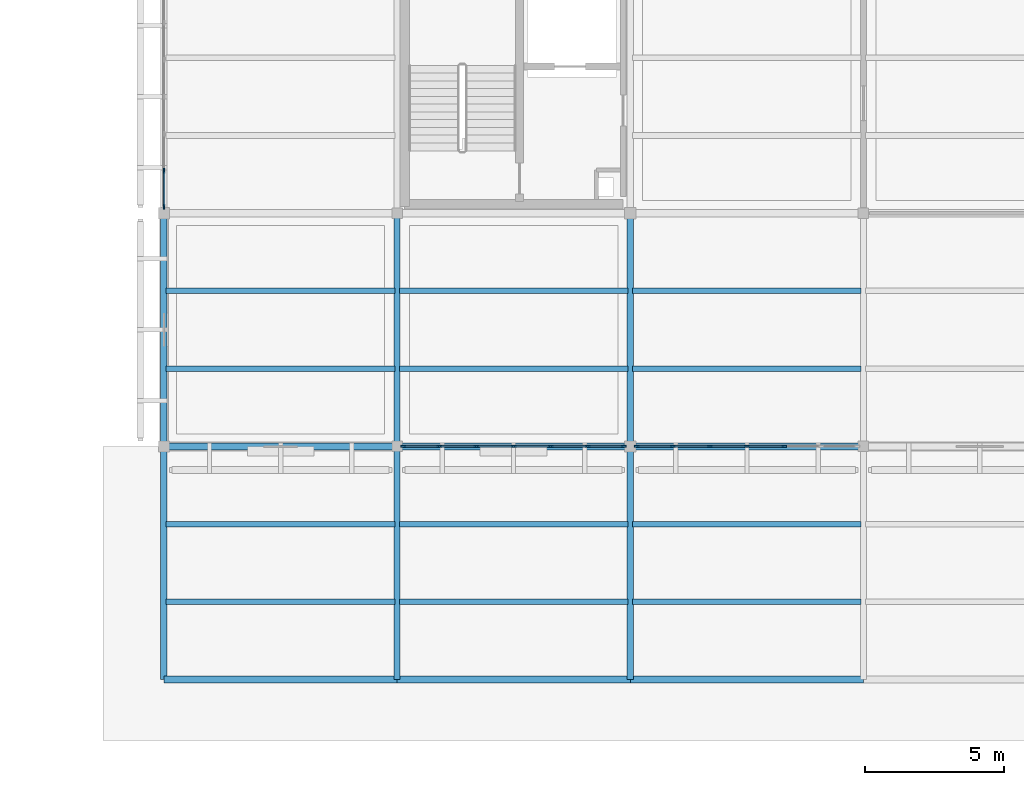
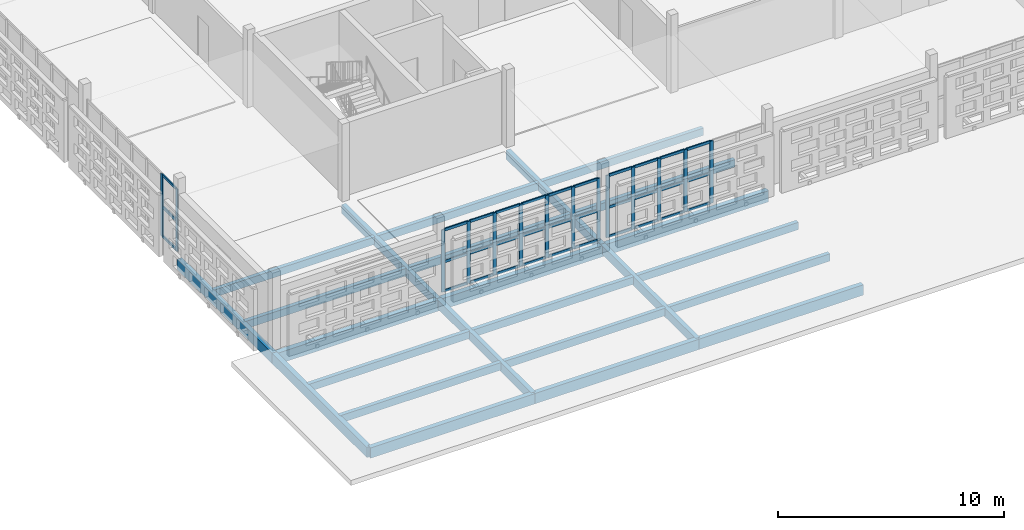
# One storey, part 14 of 140: 47 members, 24 beams, 3 elements without a shape of their own.
"""IFC4 building model written with IfcOpenShell, lengths in metres."""

from ifc_helpers import new_model, si_unit, direction, frame, origin, origin_2d, place, context, subcontext, project, spatial, rectangle, extrude, material, layer, layer_set, material_profile, profile_set, type_object, element, aggregate, save


model = new_model("IFC4")

# Units and contexts
model_context = context("Model", 3, precision=1e-05, world=origin(), true_north=direction((0.0, 1.0)))
body_context = subcontext(model_context, "Body", "Model", "MODEL_VIEW")
ifc_project = project(units=[si_unit("LENGTHUNIT", "METRE"), si_unit("AREAUNIT", "SQUARE_METRE"), si_unit("VOLUMEUNIT", "CUBIC_METRE"), si_unit("PLANEANGLEUNIT", "RADIAN"), si_unit("MASSUNIT", "GRAM", prefix="KILO")], contexts=[model_context])

# Site, building, storey
site_placement = place(None, origin())
site = spatial("IfcSite", under=ifc_project, at=site_placement, CompositionType="ELEMENT")
building_placement = place(site_placement, origin())
building = spatial("IfcBuilding", under=site, at=building_placement, Name="Varnapada Polytechnic", CompositionType="ELEMENT")
storey_placement = place(building_placement, frame((0.0, 0.0, 13.800048828125)))
storey = spatial("IfcBuildingStorey", under=building, at=storey_placement, Name="L03", CompositionType="ELEMENT", Elevation=13.800048828125)

# Beams
ifc_material_1 = material(Name="Glulam GL32h", Category="wood")
ifc_material_profile_1 = material_profile(ifc_material_1, rectangle(XDim=0.199951171875, YDim=0.39990234375, at=origin_2d()), Name="GL 200x400")
ifc_profile_set_1 = profile_set([ifc_material_profile_1], Name="Glulam GL32h")
beam_type_1 = type_object("IfcBeamType", Name="Library/laboratory glulam floor joist GJ-01 (GL 200x400)", PredefinedType="JOIST", material=ifc_profile_set_1)
for number, where, z_axis, x_axis, name in (
    (1, (8.47998046875, 2.800048828125, -0.469970703125), (1.0, 0.0, 0.0), (0.0, 1.0, 0.0), "L03 floor joist 2/1.1"),
    (2, (8.47998046875, 5.60009765625, -0.469970703125), (1.0, 0.0, 0.0), (0.0, 1.0, 0.0), "L03 floor joist 2/1.2"),
    (3, (8.47998046875, 11.199951171875, -0.469970703125), (1.0, 0.0, 0.0), (0.0, 1.0, 0.0), "L03 floor joist 2/2.1"),
    (4, (8.47998046875, 14.0, -0.469970703125), (1.0, 0.0, 0.0), (0.0, 1.0, 0.0), "L03 floor joist 2/2.2"),
):
    element("IfcBeam", number, at=place(storey_placement, frame(where, z_axis=z_axis, x_axis=x_axis)), inside=storey, type_object=beam_type_1, Name=name, PredefinedType="JOIST", context=body_context, shape_type="SweptSolid", body=[
        extrude(rectangle(XDim=0.199951171875, YDim=0.39990234375, at=origin_2d()), origin(), (0.0, 0.0, 1.0), 8.239990234375),
    ])
for number, where, z_axis, x_axis, name in (
    (5, (16.8798828125, 2.800048828125, -0.469970703125), (1.0, 0.0, 0.0), (0.0, 1.0, 0.0), "L03 floor joist 3/1.1"),
    (6, (16.8798828125, 5.60009765625, -0.469970703125), (1.0, 0.0, 0.0), (0.0, 1.0, 0.0), "L03 floor joist 3/1.2"),
    (7, (16.8798828125, 11.199951171875, -0.469970703125), (1.0, 0.0, 0.0), (0.0, 1.0, 0.0), "L03 floor joist 3/2.1"),
    (8, (16.8798828125, 14.0, -0.469970703125), (1.0, 0.0, 0.0), (0.0, 1.0, 0.0), "L03 floor joist 3/2.2"),
):
    element("IfcBeam", number, at=place(storey_placement, frame(where, z_axis=z_axis, x_axis=x_axis)), inside=storey, type_object=beam_type_1, Name=name, PredefinedType="JOIST", context=body_context, shape_type="SweptSolid", body=[
        extrude(rectangle(XDim=0.199951171875, YDim=0.39990234375, at=origin_2d()), origin(), (0.0, 0.0, 1.0), 8.240234375),
    ])
for number, where, z_axis, x_axis, name in (
    (9, (25.280029296875, 2.800048828125, -0.469970703125), (1.0, 0.0, 0.0), (0.0, 1.0, 0.0), "L03 floor joist 4/1.1"),
    (10, (25.280029296875, 5.60009765625, -0.469970703125), (1.0, 0.0, 0.0), (0.0, 1.0, 0.0), "L03 floor joist 4/1.2"),
    (11, (25.280029296875, 11.199951171875, -0.469970703125), (1.0, 0.0, 0.0), (0.0, 1.0, 0.0), "L03 floor joist 4/2.1"),
    (12, (25.280029296875, 14.0, -0.469970703125), (1.0, 0.0, 0.0), (0.0, 1.0, 0.0), "L03 floor joist 4/2.2"),
):
    element("IfcBeam", number, at=place(storey_placement, frame(where, z_axis=z_axis, x_axis=x_axis)), inside=storey, type_object=beam_type_1, Name=name, PredefinedType="JOIST", context=body_context, shape_type="SweptSolid", body=[
        extrude(rectangle(XDim=0.199951171875, YDim=0.39990234375, at=origin_2d()), origin(), (0.0, 0.0, 1.0), 8.239990234375),
    ])

# Curtain wall, members
ifc_material_2 = material(Name="Double low-E laminated glass", Category="glass")
ifc_layer = layer(ifc_material_2, 0.179931640625)
ifc_layer_set = layer_set([ifc_layer], Name="Double low-E laminated glass")
curtain_wall_type = type_object("IfcCurtainWallType", Name="Curtain Wall CW-03", PredefinedType="NOTDEFINED", material=ifc_layer_set)
curtain_wall_1_placement = place(storey_placement, origin())
curtain_wall_1 = element("IfcCurtainWall", 13, at=curtain_wall_1_placement, inside=storey, type_object=curtain_wall_type, Name="L03 unitised curtain wall CW-03 (211)", PredefinedType="NOTDEFINED")
ifc_material_3 = material(Name="Anodised aluminium", Category="aluminium")
ifc_material_profile_2 = material_profile(ifc_material_3, rectangle(XDim=0.06494140625, YDim=0.179931640625, at=origin_2d()), Name="ALU M65x180")
ifc_profile_set_2 = profile_set([ifc_material_profile_2], Name="Anodised aluminium")
member_type_1 = type_object("IfcMemberType", Name="Mullion M-02", PredefinedType="MULLION", material=ifc_profile_set_2)
member_1_placement = place(storey_placement, frame((8.39990234375, 17.032470703125, 0.0), z_axis=(0.0, 0.0, 1.0), x_axis=(-1.0, 0.0, 0.0)))
member_1 = element("IfcMember", 14, at=member_1_placement, type_object=member_type_1, Name="CW-03 mullion 1", PredefinedType="MULLION", context=body_context, shape_type="SweptSolid", body=[
    extrude(rectangle(XDim=0.06494140625, YDim=0.179931640625, at=origin_2d()), origin(), (0.0, 0.0, 1.0), 3.35986328125),
])
member_2_placement = place(storey_placement, frame((8.39990234375, 18.333251953125, 0.0), z_axis=(0.0, 0.0, 1.0), x_axis=(-1.0, 0.0, 0.0)))
member_2 = element("IfcMember", 15, at=member_2_placement, type_object=member_type_1, Name="CW-03 mullion 2", PredefinedType="MULLION", context=body_context, shape_type="SweptSolid", body=[
    extrude(rectangle(XDim=0.06494140625, YDim=0.179931640625, at=origin_2d()), origin(), (0.0, 0.0, 1.0), 3.35986328125),
])

curtain_wall_2_placement = place(storey_placement, origin())
curtain_wall_2 = element("IfcCurtainWall", 16, at=curtain_wall_2_placement, inside=storey, type_object=curtain_wall_type, Name="L03 unitised curtain wall CW-03 (214)", PredefinedType="NOTDEFINED")
member_3_placement = place(storey_placement, frame((24.967529296875, 8.39990234375, 0.0), z_axis=(0.0, 0.0, 1.0), x_axis=(0.0, -1.0, 0.0)))
member_3 = element("IfcMember", 17, at=member_3_placement, type_object=member_type_1, Name="CW-03 mullion 1", PredefinedType="MULLION", context=body_context, shape_type="SweptSolid", body=[
    extrude(rectangle(XDim=0.06494140625, YDim=0.179931640625, at=origin_2d()), origin(), (0.0, 0.0, 1.0), 3.35986328125),
])
member_4_placement = place(storey_placement, frame((23.6650390625, 8.39990234375, 0.0), z_axis=(0.0, 0.0, 1.0), x_axis=(0.0, -1.0, 0.0)))
member_4 = element("IfcMember", 18, at=member_4_placement, type_object=member_type_1, Name="CW-03 mullion 2", PredefinedType="MULLION", context=body_context, shape_type="SweptSolid", body=[
    extrude(rectangle(XDim=0.06494140625, YDim=0.179931640625, at=origin_2d()), origin(), (0.0, 0.0, 1.0), 3.35986328125),
])
member_5_placement = place(storey_placement, frame((22.330078125, 8.39990234375, 0.0), z_axis=(0.0, 0.0, 1.0), x_axis=(0.0, -1.0, 0.0)))
member_5 = element("IfcMember", 19, at=member_5_placement, type_object=member_type_1, Name="CW-03 mullion 3", PredefinedType="MULLION", context=body_context, shape_type="SweptSolid", body=[
    extrude(rectangle(XDim=0.06494140625, YDim=0.179931640625, at=origin_2d()), origin(), (0.0, 0.0, 1.0), 3.35986328125),
])
member_6_placement = place(storey_placement, frame((20.9951171875, 8.39990234375, 0.0), z_axis=(0.0, 0.0, 1.0), x_axis=(0.0, -1.0, 0.0)))
member_6 = element("IfcMember", 20, at=member_6_placement, type_object=member_type_1, Name="CW-03 mullion 4", PredefinedType="MULLION", context=body_context, shape_type="SweptSolid", body=[
    extrude(rectangle(XDim=0.06494140625, YDim=0.179931640625, at=origin_2d()), origin(), (0.0, 0.0, 1.0), 3.35986328125),
])
member_7_placement = place(storey_placement, frame((19.659912109375, 8.39990234375, 0.0), z_axis=(0.0, 0.0, 1.0), x_axis=(0.0, -1.0, 0.0)))
member_7 = element("IfcMember", 21, at=member_7_placement, type_object=member_type_1, Name="CW-03 mullion 5", PredefinedType="MULLION", context=body_context, shape_type="SweptSolid", body=[
    extrude(rectangle(XDim=0.06494140625, YDim=0.179931640625, at=origin_2d()), origin(), (0.0, 0.0, 1.0), 3.35986328125),
])
member_8_placement = place(storey_placement, frame((18.324951171875, 8.39990234375, 0.0), z_axis=(0.0, 0.0, 1.0), x_axis=(0.0, -1.0, 0.0)))
member_8 = element("IfcMember", 22, at=member_8_placement, type_object=member_type_1, Name="CW-03 mullion 6", PredefinedType="MULLION", context=body_context, shape_type="SweptSolid", body=[
    extrude(rectangle(XDim=0.06494140625, YDim=0.179931640625, at=origin_2d()), origin(), (0.0, 0.0, 1.0), 3.35986328125),
])
member_9_placement = place(storey_placement, frame((17.0224609375, 8.39990234375, 0.0), z_axis=(0.0, 0.0, 1.0), x_axis=(0.0, -1.0, 0.0)))
member_9 = element("IfcMember", 23, at=member_9_placement, type_object=member_type_1, Name="CW-03 mullion 7", PredefinedType="MULLION", context=body_context, shape_type="SweptSolid", body=[
    extrude(rectangle(XDim=0.06494140625, YDim=0.179931640625, at=origin_2d()), origin(), (0.0, 0.0, 1.0), 3.35986328125),
])

curtain_wall_3_placement = place(storey_placement, origin())
curtain_wall_3 = element("IfcCurtainWall", 24, at=curtain_wall_3_placement, inside=storey, type_object=curtain_wall_type, Name="L03 unitised curtain wall CW-03 (216)", PredefinedType="NOTDEFINED")
member_10_placement = place(storey_placement, frame((30.739990234375, 8.39990234375, 0.0), z_axis=(0.0, 0.0, 1.0), x_axis=(0.0, -1.0, 0.0)))
member_10 = element("IfcMember", 25, at=member_10_placement, type_object=member_type_1, Name="CW-03 mullion 3", PredefinedType="MULLION", context=body_context, shape_type="SweptSolid", body=[
    extrude(rectangle(XDim=0.06494140625, YDim=0.179931640625, at=origin_2d()), origin(), (0.0, 0.0, 1.0), 3.35986328125),
])
member_11_placement = place(storey_placement, frame((29.405029296875, 8.39990234375, 0.0), z_axis=(0.0, 0.0, 1.0), x_axis=(0.0, -1.0, 0.0)))
member_11 = element("IfcMember", 26, at=member_11_placement, type_object=member_type_1, Name="CW-03 mullion 4", PredefinedType="MULLION", context=body_context, shape_type="SweptSolid", body=[
    extrude(rectangle(XDim=0.06494140625, YDim=0.179931640625, at=origin_2d()), origin(), (0.0, 0.0, 1.0), 3.35986328125),
])
member_12_placement = place(storey_placement, frame((28.070068359375, 8.39990234375, 0.0), z_axis=(0.0, 0.0, 1.0), x_axis=(0.0, -1.0, 0.0)))
member_12 = element("IfcMember", 27, at=member_12_placement, type_object=member_type_1, Name="CW-03 mullion 5", PredefinedType="MULLION", context=body_context, shape_type="SweptSolid", body=[
    extrude(rectangle(XDim=0.06494140625, YDim=0.179931640625, at=origin_2d()), origin(), (0.0, 0.0, 1.0), 3.35986328125),
])
member_13_placement = place(storey_placement, frame((26.735107421875, 8.39990234375, 0.0), z_axis=(0.0, 0.0, 1.0), x_axis=(0.0, -1.0, 0.0)))
member_13 = element("IfcMember", 28, at=member_13_placement, type_object=member_type_1, Name="CW-03 mullion 6", PredefinedType="MULLION", context=body_context, shape_type="SweptSolid", body=[
    extrude(rectangle(XDim=0.06494140625, YDim=0.179931640625, at=origin_2d()), origin(), (0.0, 0.0, 1.0), 3.35986328125),
])
member_14_placement = place(storey_placement, frame((25.4326171875, 8.39990234375, 0.0), z_axis=(0.0, 0.0, 1.0), x_axis=(0.0, -1.0, 0.0)))
member_14 = element("IfcMember", 29, at=member_14_placement, type_object=member_type_1, Name="CW-03 mullion 7", PredefinedType="MULLION", context=body_context, shape_type="SweptSolid", body=[
    extrude(rectangle(XDim=0.06494140625, YDim=0.179931640625, at=origin_2d()), origin(), (0.0, 0.0, 1.0), 3.35986328125),
])

# Beams
ifc_material_profile_3 = material_profile(ifc_material_1, rectangle(XDim=0.239990234375, YDim=0.56005859375, at=origin_2d()), Name="GL 240x560")
ifc_profile_set_3 = profile_set([ifc_material_profile_3], Name="Glulam GL32h")
beam_type_2 = type_object("IfcBeamType", Name="Perimeter glulam spandrel beam SP-02 (GL 240x560)", PredefinedType="SPANDREL", material=ifc_profile_set_3)
beam_1_placement = place(storey_placement, frame((8.39990234375, 0.0, -0.550048828125), z_axis=(1.0, 0.0, 0.0), x_axis=(0.0, 1.0, 0.0)))
element("IfcBeam", 30, at=beam_1_placement, inside=storey, type_object=beam_type_2, Name="L03 beam X 2-3 at Y1", PredefinedType="SPANDREL", context=body_context, shape_type="SweptSolid", body=[
    extrude(rectangle(XDim=0.239990234375, YDim=0.56005859375, at=origin_2d()), origin(), (0.0, 0.0, 1.0), 8.400146484375),
])
beam_2_placement = place(storey_placement, frame((16.800048828125, 0.0, -0.550048828125), z_axis=(1.0, 0.0, 0.0), x_axis=(0.0, 1.0, 0.0)))
element("IfcBeam", 31, at=beam_2_placement, inside=storey, type_object=beam_type_2, Name="L03 beam X 3-4 at Y1", PredefinedType="SPANDREL", context=body_context, shape_type="SweptSolid", body=[
    extrude(rectangle(XDim=0.239990234375, YDim=0.56005859375, at=origin_2d()), origin(), (0.0, 0.0, 1.0), 8.39990234375),
])
beam_3_placement = place(storey_placement, frame((25.199951171875, 0.0, -0.550048828125), z_axis=(1.0, 0.0, 0.0), x_axis=(0.0, 1.0, 0.0)))
element("IfcBeam", 32, at=beam_3_placement, inside=storey, type_object=beam_type_2, Name="L03 beam X 4-5 at Y1", PredefinedType="SPANDREL", context=body_context, shape_type="SweptSolid", body=[
    extrude(rectangle(XDim=0.239990234375, YDim=0.56005859375, at=origin_2d()), origin(), (0.0, 0.0, 1.0), 8.400146484375),
])
beam_4_placement = place(storey_placement, frame((8.39990234375, 0.0, -0.550048828125), z_axis=(0.0, 1.0, 0.0), x_axis=(-1.0, 0.0, 0.0)))
element("IfcBeam", 33, at=beam_4_placement, inside=storey, type_object=beam_type_2, Name="L03 beam Y 1-2 at X2", PredefinedType="SPANDREL", context=body_context, shape_type="SweptSolid", body=[
    extrude(rectangle(XDim=0.239990234375, YDim=0.56005859375, at=origin_2d()), origin(), (0.0, 0.0, 1.0), 8.39990234375),
])
beam_5_placement = place(storey_placement, frame((8.39990234375, 8.39990234375, -0.550048828125), z_axis=(0.0, 1.0, 0.0), x_axis=(-1.0, 0.0, 0.0)))
element("IfcBeam", 34, at=beam_5_placement, inside=storey, type_object=beam_type_2, Name="L03 beam Y 2-3 at X2", PredefinedType="SPANDREL", context=body_context, shape_type="SweptSolid", body=[
    extrude(rectangle(XDim=0.239990234375, YDim=0.56005859375, at=origin_2d()), origin(), (0.0, 0.0, 1.0), 8.400146484375),
])
ifc_material_profile_4 = material_profile(ifc_material_1, rectangle(XDim=0.260009765625, YDim=0.60009765625, at=origin_2d()), Name="GL 260x600")
ifc_profile_set_4 = profile_set([ifc_material_profile_4], Name="Glulam GL32h")
beam_type_3 = type_object("IfcBeamType", Name="Seminar wing glulam girder GG-05 (GL 260x600)", PredefinedType="BEAM", material=ifc_profile_set_4)
beam_6_placement = place(storey_placement, frame((8.39990234375, 8.39990234375, -0.570068359375), z_axis=(1.0, 0.0, 0.0), x_axis=(0.0, 1.0, 0.0)))
element("IfcBeam", 35, at=beam_6_placement, inside=storey, type_object=beam_type_3, Name="L03 beam X 2-3 at Y2", PredefinedType="BEAM", context=body_context, shape_type="SweptSolid", body=[
    extrude(rectangle(XDim=0.260009765625, YDim=0.60009765625, at=origin_2d()), origin(), (0.0, 0.0, 1.0), 8.400146484375),
])
beam_7_placement = place(storey_placement, frame((16.800048828125, 8.39990234375, -0.570068359375), z_axis=(1.0, 0.0, 0.0), x_axis=(0.0, 1.0, 0.0)))
element("IfcBeam", 36, at=beam_7_placement, inside=storey, type_object=beam_type_3, Name="L03 beam X 3-4 at Y2", PredefinedType="BEAM", context=body_context, shape_type="SweptSolid", body=[
    extrude(rectangle(XDim=0.260009765625, YDim=0.60009765625, at=origin_2d()), origin(), (0.0, 0.0, 1.0), 8.39990234375),
])
beam_8_placement = place(storey_placement, frame((25.199951171875, 8.39990234375, -0.570068359375), z_axis=(1.0, 0.0, 0.0), x_axis=(0.0, 1.0, 0.0)))
element("IfcBeam", 37, at=beam_8_placement, inside=storey, type_object=beam_type_3, Name="L03 beam X 4-5 at Y2", PredefinedType="BEAM", context=body_context, shape_type="SweptSolid", body=[
    extrude(rectangle(XDim=0.260009765625, YDim=0.60009765625, at=origin_2d()), origin(), (0.0, 0.0, 1.0), 8.400146484375),
])

# Member
ifc_material_profile_5 = material_profile(ifc_material_3, rectangle(XDim=0.06494140625, YDim=0.139892578125, at=origin_2d()), Name="ALU T65x140")
ifc_profile_set_5 = profile_set([ifc_material_profile_5], Name="Anodised aluminium")
member_type_2 = type_object("IfcMemberType", Name="Transom T-02", PredefinedType="USERDEFINED", material=ifc_profile_set_5)
member_15_placement = place(storey_placement, frame((8.39990234375, 17.06494140625, 0.032470703125), z_axis=(0.0, 1.0, 0.0), x_axis=(-1.0, 0.0, 0.0)))
member_15 = element("IfcMember", 38, at=member_15_placement, type_object=member_type_2, Name="CW-03 transom 1.1", ObjectType="TRANSOM", PredefinedType="USERDEFINED", context=body_context, shape_type="SweptSolid", body=[
    extrude(rectangle(XDim=0.06494140625, YDim=0.139892578125, at=origin_2d()), origin(), (0.0, 0.0, 1.0), 1.23583984375),
])

member_16_placement = place(storey_placement, frame((8.39990234375, 17.06494140625, 1.61279296875), z_axis=(0.0, 1.0, 0.0), x_axis=(-1.0, 0.0, 0.0)))
member_16 = element("IfcMember", 39, at=member_16_placement, type_object=member_type_2, Name="CW-03 transom 1.2", ObjectType="TRANSOM", PredefinedType="USERDEFINED", context=body_context, shape_type="SweptSolid", body=[
    extrude(rectangle(XDim=0.06494140625, YDim=0.139892578125, at=origin_2d()), origin(), (0.0, 0.0, 1.0), 1.23583984375),
])

member_17_placement = place(storey_placement, frame((8.39990234375, 17.06494140625, 3.327392578125), z_axis=(0.0, 1.0, 0.0), x_axis=(-1.0, 0.0, 0.0)))
member_17 = element("IfcMember", 40, at=member_17_placement, type_object=member_type_2, Name="CW-03 transom 1.3", ObjectType="TRANSOM", PredefinedType="USERDEFINED", context=body_context, shape_type="SweptSolid", body=[
    extrude(rectangle(XDim=0.06494140625, YDim=0.139892578125, at=origin_2d()), origin(), (0.0, 0.0, 1.0), 1.23583984375),
])

aggregate(curtain_wall_1, [member_1, member_2, member_15, member_16, member_17])

member_18_placement = place(storey_placement, frame((24.93505859375, 8.39990234375, 0.032470703125), z_axis=(-1.0, 0.0, 0.0), x_axis=(0.0, -1.0, 0.0)))
member_18 = element("IfcMember", 41, at=member_18_placement, type_object=member_type_2, Name="CW-03 transom 1.1", ObjectType="TRANSOM", PredefinedType="USERDEFINED", context=body_context, shape_type="SweptSolid", body=[
    extrude(rectangle(XDim=0.06494140625, YDim=0.139892578125, at=origin_2d()), origin(), (0.0, 0.0, 1.0), 1.237548828125),
])

member_19_placement = place(storey_placement, frame((24.93505859375, 8.39990234375, 1.61279296875), z_axis=(-1.0, 0.0, 0.0), x_axis=(0.0, -1.0, 0.0)))
member_19 = element("IfcMember", 42, at=member_19_placement, type_object=member_type_2, Name="CW-03 transom 1.2", ObjectType="TRANSOM", PredefinedType="USERDEFINED", context=body_context, shape_type="SweptSolid", body=[
    extrude(rectangle(XDim=0.06494140625, YDim=0.139892578125, at=origin_2d()), origin(), (0.0, 0.0, 1.0), 1.237548828125),
])

member_20_placement = place(storey_placement, frame((24.93505859375, 8.39990234375, 3.327392578125), z_axis=(-1.0, 0.0, 0.0), x_axis=(0.0, -1.0, 0.0)))
member_20 = element("IfcMember", 43, at=member_20_placement, type_object=member_type_2, Name="CW-03 transom 1.3", ObjectType="TRANSOM", PredefinedType="USERDEFINED", context=body_context, shape_type="SweptSolid", body=[
    extrude(rectangle(XDim=0.06494140625, YDim=0.139892578125, at=origin_2d()), origin(), (0.0, 0.0, 1.0), 1.237548828125),
])

member_21_placement = place(storey_placement, frame((23.632568359375, 8.39990234375, 0.032470703125), z_axis=(-1.0, 0.0, 0.0), x_axis=(0.0, -1.0, 0.0)))
member_21 = element("IfcMember", 44, at=member_21_placement, type_object=member_type_2, Name="CW-03 transom 2.1", ObjectType="TRANSOM", PredefinedType="USERDEFINED", context=body_context, shape_type="SweptSolid", body=[
    extrude(rectangle(XDim=0.06494140625, YDim=0.139892578125, at=origin_2d()), origin(), (0.0, 0.0, 1.0), 1.27001953125),
])

member_22_placement = place(storey_placement, frame((23.632568359375, 8.39990234375, 1.61279296875), z_axis=(-1.0, 0.0, 0.0), x_axis=(0.0, -1.0, 0.0)))
member_22 = element("IfcMember", 45, at=member_22_placement, type_object=member_type_2, Name="CW-03 transom 2.2", ObjectType="TRANSOM", PredefinedType="USERDEFINED", context=body_context, shape_type="SweptSolid", body=[
    extrude(rectangle(XDim=0.06494140625, YDim=0.139892578125, at=origin_2d()), origin(), (0.0, 0.0, 1.0), 1.27001953125),
])

member_23_placement = place(storey_placement, frame((23.632568359375, 8.39990234375, 3.327392578125), z_axis=(-1.0, 0.0, 0.0), x_axis=(0.0, -1.0, 0.0)))
member_23 = element("IfcMember", 46, at=member_23_placement, type_object=member_type_2, Name="CW-03 transom 2.3", ObjectType="TRANSOM", PredefinedType="USERDEFINED", context=body_context, shape_type="SweptSolid", body=[
    extrude(rectangle(XDim=0.06494140625, YDim=0.139892578125, at=origin_2d()), origin(), (0.0, 0.0, 1.0), 1.27001953125),
])

member_24_placement = place(storey_placement, frame((22.297607421875, 8.39990234375, 0.032470703125), z_axis=(-1.0, 0.0, 0.0), x_axis=(0.0, -1.0, 0.0)))
member_24 = element("IfcMember", 47, at=member_24_placement, type_object=member_type_2, Name="CW-03 transom 3.1", ObjectType="TRANSOM", PredefinedType="USERDEFINED", context=body_context, shape_type="SweptSolid", body=[
    extrude(rectangle(XDim=0.06494140625, YDim=0.139892578125, at=origin_2d()), origin(), (0.0, 0.0, 1.0), 1.27001953125),
])

member_25_placement = place(storey_placement, frame((22.297607421875, 8.39990234375, 1.61279296875), z_axis=(-1.0, 0.0, 0.0), x_axis=(0.0, -1.0, 0.0)))
member_25 = element("IfcMember", 48, at=member_25_placement, type_object=member_type_2, Name="CW-03 transom 3.2", ObjectType="TRANSOM", PredefinedType="USERDEFINED", context=body_context, shape_type="SweptSolid", body=[
    extrude(rectangle(XDim=0.06494140625, YDim=0.139892578125, at=origin_2d()), origin(), (0.0, 0.0, 1.0), 1.27001953125),
])

member_26_placement = place(storey_placement, frame((22.297607421875, 8.39990234375, 3.327392578125), z_axis=(-1.0, 0.0, 0.0), x_axis=(0.0, -1.0, 0.0)))
member_26 = element("IfcMember", 49, at=member_26_placement, type_object=member_type_2, Name="CW-03 transom 3.3", ObjectType="TRANSOM", PredefinedType="USERDEFINED", context=body_context, shape_type="SweptSolid", body=[
    extrude(rectangle(XDim=0.06494140625, YDim=0.139892578125, at=origin_2d()), origin(), (0.0, 0.0, 1.0), 1.27001953125),
])

member_27_placement = place(storey_placement, frame((20.96240234375, 8.39990234375, 0.032470703125), z_axis=(-1.0, 0.0, 0.0), x_axis=(0.0, -1.0, 0.0)))
member_27 = element("IfcMember", 50, at=member_27_placement, type_object=member_type_2, Name="CW-03 transom 4.1", ObjectType="TRANSOM", PredefinedType="USERDEFINED", context=body_context, shape_type="SweptSolid", body=[
    extrude(rectangle(XDim=0.06494140625, YDim=0.139892578125, at=origin_2d()), origin(), (0.0, 0.0, 1.0), 1.27001953125),
])

member_28_placement = place(storey_placement, frame((20.96240234375, 8.39990234375, 1.61279296875), z_axis=(-1.0, 0.0, 0.0), x_axis=(0.0, -1.0, 0.0)))
member_28 = element("IfcMember", 51, at=member_28_placement, type_object=member_type_2, Name="CW-03 transom 4.2", ObjectType="TRANSOM", PredefinedType="USERDEFINED", context=body_context, shape_type="SweptSolid", body=[
    extrude(rectangle(XDim=0.06494140625, YDim=0.139892578125, at=origin_2d()), origin(), (0.0, 0.0, 1.0), 1.27001953125),
])

member_29_placement = place(storey_placement, frame((20.96240234375, 8.39990234375, 3.327392578125), z_axis=(-1.0, 0.0, 0.0), x_axis=(0.0, -1.0, 0.0)))
member_29 = element("IfcMember", 52, at=member_29_placement, type_object=member_type_2, Name="CW-03 transom 4.3", ObjectType="TRANSOM", PredefinedType="USERDEFINED", context=body_context, shape_type="SweptSolid", body=[
    extrude(rectangle(XDim=0.06494140625, YDim=0.139892578125, at=origin_2d()), origin(), (0.0, 0.0, 1.0), 1.27001953125),
])

member_30_placement = place(storey_placement, frame((19.62744140625, 8.39990234375, 0.032470703125), z_axis=(-1.0, 0.0, 0.0), x_axis=(0.0, -1.0, 0.0)))
member_30 = element("IfcMember", 53, at=member_30_placement, type_object=member_type_2, Name="CW-03 transom 5.1", ObjectType="TRANSOM", PredefinedType="USERDEFINED", context=body_context, shape_type="SweptSolid", body=[
    extrude(rectangle(XDim=0.06494140625, YDim=0.139892578125, at=origin_2d()), origin(), (0.0, 0.0, 1.0), 1.27001953125),
])

member_31_placement = place(storey_placement, frame((19.62744140625, 8.39990234375, 1.61279296875), z_axis=(-1.0, 0.0, 0.0), x_axis=(0.0, -1.0, 0.0)))
member_31 = element("IfcMember", 54, at=member_31_placement, type_object=member_type_2, Name="CW-03 transom 5.2", ObjectType="TRANSOM", PredefinedType="USERDEFINED", context=body_context, shape_type="SweptSolid", body=[
    extrude(rectangle(XDim=0.06494140625, YDim=0.139892578125, at=origin_2d()), origin(), (0.0, 0.0, 1.0), 1.27001953125),
])

member_32_placement = place(storey_placement, frame((19.62744140625, 8.39990234375, 3.327392578125), z_axis=(-1.0, 0.0, 0.0), x_axis=(0.0, -1.0, 0.0)))
member_32 = element("IfcMember", 55, at=member_32_placement, type_object=member_type_2, Name="CW-03 transom 5.3", ObjectType="TRANSOM", PredefinedType="USERDEFINED", context=body_context, shape_type="SweptSolid", body=[
    extrude(rectangle(XDim=0.06494140625, YDim=0.139892578125, at=origin_2d()), origin(), (0.0, 0.0, 1.0), 1.27001953125),
])

member_33_placement = place(storey_placement, frame((18.29248046875, 8.39990234375, 0.032470703125), z_axis=(-1.0, 0.0, 0.0), x_axis=(0.0, -1.0, 0.0)))
member_33 = element("IfcMember", 56, at=member_33_placement, type_object=member_type_2, Name="CW-03 transom 6.1", ObjectType="TRANSOM", PredefinedType="USERDEFINED", context=body_context, shape_type="SweptSolid", body=[
    extrude(rectangle(XDim=0.06494140625, YDim=0.139892578125, at=origin_2d()), origin(), (0.0, 0.0, 1.0), 1.237548828125),
])

member_34_placement = place(storey_placement, frame((18.29248046875, 8.39990234375, 1.61279296875), z_axis=(-1.0, 0.0, 0.0), x_axis=(0.0, -1.0, 0.0)))
member_34 = element("IfcMember", 57, at=member_34_placement, type_object=member_type_2, Name="CW-03 transom 6.2", ObjectType="TRANSOM", PredefinedType="USERDEFINED", context=body_context, shape_type="SweptSolid", body=[
    extrude(rectangle(XDim=0.06494140625, YDim=0.139892578125, at=origin_2d()), origin(), (0.0, 0.0, 1.0), 1.237548828125),
])

member_35_placement = place(storey_placement, frame((18.29248046875, 8.39990234375, 3.327392578125), z_axis=(-1.0, 0.0, 0.0), x_axis=(0.0, -1.0, 0.0)))
member_35 = element("IfcMember", 58, at=member_35_placement, type_object=member_type_2, Name="CW-03 transom 6.3", ObjectType="TRANSOM", PredefinedType="USERDEFINED", context=body_context, shape_type="SweptSolid", body=[
    extrude(rectangle(XDim=0.06494140625, YDim=0.139892578125, at=origin_2d()), origin(), (0.0, 0.0, 1.0), 1.237548828125),
])

aggregate(curtain_wall_2, [member_3, member_4, member_5, member_6, member_7, member_8, member_9, member_18, member_19, member_20, member_21, member_22, member_23, member_24, member_25, member_26, member_27, member_28, member_29, member_30, member_31, member_32, member_33, member_34, member_35])

member_36_placement = place(storey_placement, frame((30.70751953125, 8.39990234375, 0.032470703125), z_axis=(-1.0, 0.0, 0.0), x_axis=(0.0, -1.0, 0.0)))
member_36 = element("IfcMember", 59, at=member_36_placement, type_object=member_type_2, Name="CW-03 transom 3.1", ObjectType="TRANSOM", PredefinedType="USERDEFINED", context=body_context, shape_type="SweptSolid", body=[
    extrude(rectangle(XDim=0.06494140625, YDim=0.139892578125, at=origin_2d()), origin(), (0.0, 0.0, 1.0), 1.27001953125),
])

member_37_placement = place(storey_placement, frame((30.70751953125, 8.39990234375, 1.61279296875), z_axis=(-1.0, 0.0, 0.0), x_axis=(0.0, -1.0, 0.0)))
member_37 = element("IfcMember", 60, at=member_37_placement, type_object=member_type_2, Name="CW-03 transom 3.2", ObjectType="TRANSOM", PredefinedType="USERDEFINED", context=body_context, shape_type="SweptSolid", body=[
    extrude(rectangle(XDim=0.06494140625, YDim=0.139892578125, at=origin_2d()), origin(), (0.0, 0.0, 1.0), 1.27001953125),
])

member_38_placement = place(storey_placement, frame((30.70751953125, 8.39990234375, 3.327392578125), z_axis=(-1.0, 0.0, 0.0), x_axis=(0.0, -1.0, 0.0)))
member_38 = element("IfcMember", 61, at=member_38_placement, type_object=member_type_2, Name="CW-03 transom 3.3", ObjectType="TRANSOM", PredefinedType="USERDEFINED", context=body_context, shape_type="SweptSolid", body=[
    extrude(rectangle(XDim=0.06494140625, YDim=0.139892578125, at=origin_2d()), origin(), (0.0, 0.0, 1.0), 1.27001953125),
])

member_39_placement = place(storey_placement, frame((29.37255859375, 8.39990234375, 0.032470703125), z_axis=(-1.0, 0.0, 0.0), x_axis=(0.0, -1.0, 0.0)))
member_39 = element("IfcMember", 62, at=member_39_placement, type_object=member_type_2, Name="CW-03 transom 4.1", ObjectType="TRANSOM", PredefinedType="USERDEFINED", context=body_context, shape_type="SweptSolid", body=[
    extrude(rectangle(XDim=0.06494140625, YDim=0.139892578125, at=origin_2d()), origin(), (0.0, 0.0, 1.0), 1.27001953125),
])

member_40_placement = place(storey_placement, frame((29.37255859375, 8.39990234375, 1.61279296875), z_axis=(-1.0, 0.0, 0.0), x_axis=(0.0, -1.0, 0.0)))
member_40 = element("IfcMember", 63, at=member_40_placement, type_object=member_type_2, Name="CW-03 transom 4.2", ObjectType="TRANSOM", PredefinedType="USERDEFINED", context=body_context, shape_type="SweptSolid", body=[
    extrude(rectangle(XDim=0.06494140625, YDim=0.139892578125, at=origin_2d()), origin(), (0.0, 0.0, 1.0), 1.27001953125),
])

member_41_placement = place(storey_placement, frame((29.37255859375, 8.39990234375, 3.327392578125), z_axis=(-1.0, 0.0, 0.0), x_axis=(0.0, -1.0, 0.0)))
member_41 = element("IfcMember", 64, at=member_41_placement, type_object=member_type_2, Name="CW-03 transom 4.3", ObjectType="TRANSOM", PredefinedType="USERDEFINED", context=body_context, shape_type="SweptSolid", body=[
    extrude(rectangle(XDim=0.06494140625, YDim=0.139892578125, at=origin_2d()), origin(), (0.0, 0.0, 1.0), 1.27001953125),
])

member_42_placement = place(storey_placement, frame((28.03759765625, 8.39990234375, 0.032470703125), z_axis=(-1.0, 0.0, 0.0), x_axis=(0.0, -1.0, 0.0)))
member_42 = element("IfcMember", 65, at=member_42_placement, type_object=member_type_2, Name="CW-03 transom 5.1", ObjectType="TRANSOM", PredefinedType="USERDEFINED", context=body_context, shape_type="SweptSolid", body=[
    extrude(rectangle(XDim=0.06494140625, YDim=0.139892578125, at=origin_2d()), origin(), (0.0, 0.0, 1.0), 1.27001953125),
])

member_43_placement = place(storey_placement, frame((28.03759765625, 8.39990234375, 1.61279296875), z_axis=(-1.0, 0.0, 0.0), x_axis=(0.0, -1.0, 0.0)))
member_43 = element("IfcMember", 66, at=member_43_placement, type_object=member_type_2, Name="CW-03 transom 5.2", ObjectType="TRANSOM", PredefinedType="USERDEFINED", context=body_context, shape_type="SweptSolid", body=[
    extrude(rectangle(XDim=0.06494140625, YDim=0.139892578125, at=origin_2d()), origin(), (0.0, 0.0, 1.0), 1.27001953125),
])

member_44_placement = place(storey_placement, frame((28.03759765625, 8.39990234375, 3.327392578125), z_axis=(-1.0, 0.0, 0.0), x_axis=(0.0, -1.0, 0.0)))
member_44 = element("IfcMember", 67, at=member_44_placement, type_object=member_type_2, Name="CW-03 transom 5.3", ObjectType="TRANSOM", PredefinedType="USERDEFINED", context=body_context, shape_type="SweptSolid", body=[
    extrude(rectangle(XDim=0.06494140625, YDim=0.139892578125, at=origin_2d()), origin(), (0.0, 0.0, 1.0), 1.27001953125),
])

member_45_placement = place(storey_placement, frame((26.702392578125, 8.39990234375, 0.032470703125), z_axis=(-1.0, 0.0, 0.0), x_axis=(0.0, -1.0, 0.0)))
member_45 = element("IfcMember", 68, at=member_45_placement, type_object=member_type_2, Name="CW-03 transom 6.1", ObjectType="TRANSOM", PredefinedType="USERDEFINED", context=body_context, shape_type="SweptSolid", body=[
    extrude(rectangle(XDim=0.06494140625, YDim=0.139892578125, at=origin_2d()), origin(), (0.0, 0.0, 1.0), 1.2373046875),
])

member_46_placement = place(storey_placement, frame((26.702392578125, 8.39990234375, 1.61279296875), z_axis=(-1.0, 0.0, 0.0), x_axis=(0.0, -1.0, 0.0)))
member_46 = element("IfcMember", 69, at=member_46_placement, type_object=member_type_2, Name="CW-03 transom 6.2", ObjectType="TRANSOM", PredefinedType="USERDEFINED", context=body_context, shape_type="SweptSolid", body=[
    extrude(rectangle(XDim=0.06494140625, YDim=0.139892578125, at=origin_2d()), origin(), (0.0, 0.0, 1.0), 1.2373046875),
])

member_47_placement = place(storey_placement, frame((26.702392578125, 8.39990234375, 3.327392578125), z_axis=(-1.0, 0.0, 0.0), x_axis=(0.0, -1.0, 0.0)))
member_47 = element("IfcMember", 70, at=member_47_placement, type_object=member_type_2, Name="CW-03 transom 6.3", ObjectType="TRANSOM", PredefinedType="USERDEFINED", context=body_context, shape_type="SweptSolid", body=[
    extrude(rectangle(XDim=0.06494140625, YDim=0.139892578125, at=origin_2d()), origin(), (0.0, 0.0, 1.0), 1.2373046875),
])

aggregate(curtain_wall_3, [member_10, member_11, member_12, member_13, member_14, member_36, member_37, member_38, member_39, member_40, member_41, member_42, member_43, member_44, member_45, member_46, member_47])

# Beams
ifc_material_profile_6 = material_profile(ifc_material_1, rectangle(XDim=0.219970703125, YDim=0.47998046875, at=origin_2d()), Name="GL 220x480")
ifc_profile_set_6 = profile_set([ifc_material_profile_6], Name="Glulam GL32h")
beam_type_4 = type_object("IfcBeamType", Name="Upper floor glulam tie beam GB-11 (GL 220x480)", PredefinedType="BEAM", material=ifc_profile_set_6)
beam_9_placement = place(storey_placement, frame((16.800048828125, 0.0, -0.510009765625), z_axis=(0.0, 1.0, 0.0), x_axis=(-1.0, 0.0, 0.0)))
element("IfcBeam", 71, at=beam_9_placement, inside=storey, type_object=beam_type_4, Name="L03 beam Y 1-2 at X3", PredefinedType="BEAM", context=body_context, shape_type="SweptSolid", body=[
    extrude(rectangle(XDim=0.219970703125, YDim=0.47998046875, at=origin_2d()), origin(), (0.0, 0.0, 1.0), 8.39990234375),
])
beam_10_placement = place(storey_placement, frame((16.800048828125, 8.39990234375, -0.510009765625), z_axis=(0.0, 1.0, 0.0), x_axis=(-1.0, 0.0, 0.0)))
element("IfcBeam", 72, at=beam_10_placement, inside=storey, type_object=beam_type_4, Name="L03 beam Y 2-3 at X3", PredefinedType="BEAM", context=body_context, shape_type="SweptSolid", body=[
    extrude(rectangle(XDim=0.219970703125, YDim=0.47998046875, at=origin_2d()), origin(), (0.0, 0.0, 1.0), 8.400146484375),
])
beam_11_placement = place(storey_placement, frame((25.199951171875, 0.0, -0.510009765625), z_axis=(0.0, 1.0, 0.0), x_axis=(-1.0, 0.0, 0.0)))
element("IfcBeam", 73, at=beam_11_placement, inside=storey, type_object=beam_type_4, Name="L03 beam Y 1-2 at X4", PredefinedType="BEAM", context=body_context, shape_type="SweptSolid", body=[
    extrude(rectangle(XDim=0.219970703125, YDim=0.47998046875, at=origin_2d()), origin(), (0.0, 0.0, 1.0), 8.39990234375),
])
beam_12_placement = place(storey_placement, frame((25.199951171875, 8.39990234375, -0.510009765625), z_axis=(0.0, 1.0, 0.0), x_axis=(-1.0, 0.0, 0.0)))
element("IfcBeam", 74, at=beam_12_placement, inside=storey, type_object=beam_type_4, Name="L03 beam Y 2-3 at X4", PredefinedType="BEAM", context=body_context, shape_type="SweptSolid", body=[
    extrude(rectangle(XDim=0.219970703125, YDim=0.47998046875, at=origin_2d()), origin(), (0.0, 0.0, 1.0), 8.400146484375),
])

save(model, "model.ifc")
